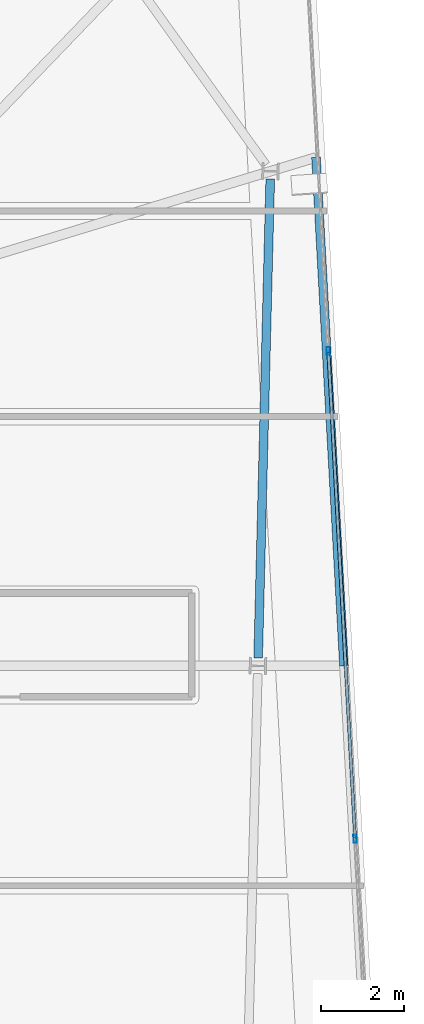
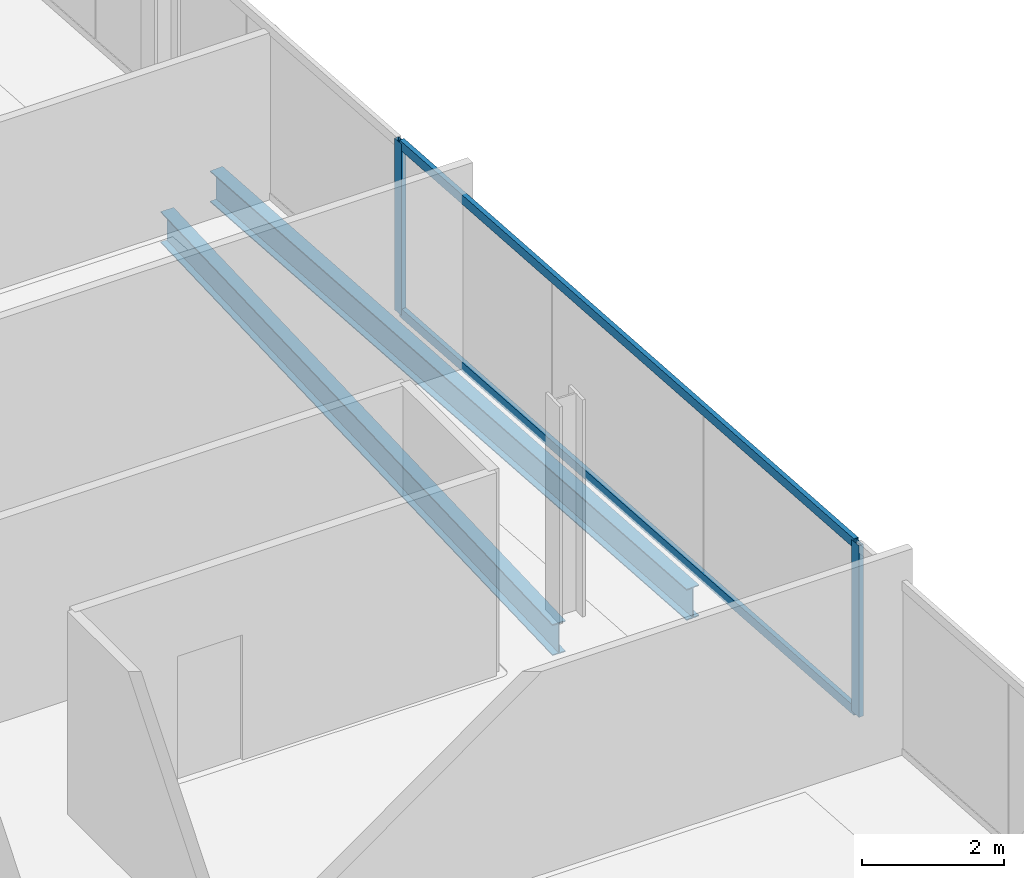
# One storey, part 10 of 23: 4 members, 2 beams, 1 element without a shape of its own.
"""IFC4 building model written with IfcOpenShell, lengths in metres."""

from ifc_helpers import new_model, si_unit, direction, frame, origin, origin_2d, place, context, subcontext, project, spatial, hollow_rectangle, i_section, extrude, material, material_profile, profile_set, type_object, element, aggregate, save


model = new_model("IFC4")

# Units and contexts
model_context = context("Model", 3, precision=1e-05, world=origin(), true_north=direction((0.0, 1.0)))
body_context = subcontext(model_context, "Body", "Model", "MODEL_VIEW")
ifc_project = project(units=[si_unit("LENGTHUNIT", "METRE"), si_unit("AREAUNIT", "SQUARE_METRE"), si_unit("VOLUMEUNIT", "CUBIC_METRE"), si_unit("PLANEANGLEUNIT", "RADIAN"), si_unit("MASSUNIT", "GRAM", prefix="KILO")], contexts=[model_context])

# Site, building, storey
site_placement = place(None, origin())
site = spatial("IfcSite", under=ifc_project, at=site_placement, CompositionType="ELEMENT")
building_placement = place(site_placement, origin())
building = spatial("IfcBuilding", under=site, at=building_placement, Name="Haldenkirk Collegiate Tower", CompositionType="ELEMENT")
storey_placement = place(building_placement, frame((0.0, 0.0, 340.199951171875)))
storey = spatial("IfcBuildingStorey", under=building, at=storey_placement, Name="L86", CompositionType="ELEMENT", Elevation=340.199951171875)

# Beams
ifc_material_1 = material(Name="Steel ASTM A992 Grade 50", Category="steel")
ifc_material_profile_1 = material_profile(ifc_material_1, i_section(OverallWidth=0.2099609375, OverallDepth=0.537109375, WebThickness=0.010986328125, FlangeThickness=0.017333984375, at=origin_2d()), Name="W21X68")
ifc_profile_set_1 = profile_set([ifc_material_profile_1], Name="Steel ASTM A992 Grade 50")
beam_type = type_object("IfcBeamType", Name="BM-SPANDREL-W21X68", PredefinedType="SPANDREL", material=ifc_profile_set_1)
beam_1_placement = place(storey_placement, frame((55.8984375, 25.684326171875, -0.528564453125), z_axis=(0.025302458902, 0.999679841536, 0.0), x_axis=(-0.999679841536, 0.025302458902, 0.0)))
element("IfcBeam", 1, at=beam_1_placement, inside=storey, type_object=beam_type, Name="L86 perimeter spandrel beam 03", PredefinedType="SPANDREL", context=body_context, shape_type="SweptSolid", body=[
    extrude(i_section(OverallWidth=0.2099609375, OverallDepth=0.537109375, WebThickness=0.010986328125, FlangeThickness=0.017333984375, at=origin_2d()), origin(), (0.0, 0.0, 1.0), 11.5400390625),
])
beam_2_placement = place(storey_placement, frame((57.9658203125, 25.496337890625, -0.528564453125), z_axis=(-0.054940816012, 0.998489612733, 0.0), x_axis=(-0.998489612733, -0.054940816012, 0.0)))
element("IfcBeam", 2, at=beam_2_placement, inside=storey, type_object=beam_type, Name="L86 outer facade edge beam 1B", PredefinedType="SPANDREL", context=body_context, shape_type="SweptSolid", body=[
    extrude(i_section(OverallWidth=0.2099609375, OverallDepth=0.537109375, WebThickness=0.010986328125, FlangeThickness=0.017333984375, at=origin_2d()), origin(), (0.0, 0.0, 1.0), 12.2646484375),
])

# Curtain wall, members
ifc_material_2 = material(Name="Anodised architectural bronze aluminium", Category="aluminium")
curtain_wall_type = type_object("IfcCurtainWallType", Name="CW-SYS2-CONCAVE", PredefinedType="USERDEFINED", material=ifc_material_2)
curtain_wall_placement = place(storey_placement, origin())
curtain_wall = element("IfcCurtainWall", 3, at=curtain_wall_placement, inside=storey, type_object=curtain_wall_type, Name="L86 South concave recessed bronze-anodised curtain wall", ObjectType="UNITISED CURTAIN WALL", PredefinedType="USERDEFINED")
ifc_material_profile_2 = material_profile(ifc_material_2, hollow_rectangle(XDim=0.074951171875, YDim=0.18994140625, WallThickness=0.0048828125, at=origin_2d()), Name="CW-MUL-02")
ifc_profile_set_2 = profile_set([ifc_material_profile_2], Name="Anodised architectural bronze aluminium")
member_type_1 = type_object("IfcMemberType", Name="CW-MUL-02", PredefinedType="MULLION", material=ifc_profile_set_2)
member_1_placement = place(storey_placement, frame((57.588623046875, 33.080322265625, 0.0), z_axis=(0.0, 0.0, 1.0), x_axis=(0.998489164704, 0.054948957849, 0.0)))
member_1 = element("IfcMember", 4, at=member_1_placement, type_object=member_type_1, Name="CW-02 mullion 2", PredefinedType="MULLION", context=body_context, shape_type="SweptSolid", body=[
    extrude(hollow_rectangle(XDim=0.074951171875, YDim=0.18994140625, WallThickness=0.0048828125, at=origin_2d()), origin(), (0.0, 0.0, 1.0), 2.947998046875),
])
member_2_placement = place(storey_placement, frame((58.235107421875, 21.331298828125, 0.0), z_axis=(0.0, 0.0, 1.0), x_axis=(0.998489164704, 0.054948957849, 0.0)))
member_2 = element("IfcMember", 5, at=member_2_placement, type_object=member_type_1, Name="CW-02 mullion 3", PredefinedType="MULLION", context=body_context, shape_type="SweptSolid", body=[
    extrude(hollow_rectangle(XDim=0.074951171875, YDim=0.18994140625, WallThickness=0.0048828125, at=origin_2d()), origin(), (0.0, 0.0, 1.0), 2.947998046875),
])
ifc_material_profile_3 = material_profile(ifc_material_2, hollow_rectangle(XDim=0.074951171875, YDim=0.159912109375, WallThickness=0.0048828125, at=origin_2d()), Name="CW-TRN-02")
ifc_profile_set_3 = profile_set([ifc_material_profile_3], Name="Anodised architectural bronze aluminium")
member_type_2 = type_object("IfcMemberType", Name="CW-TRN-02", PredefinedType="USERDEFINED", material=ifc_profile_set_3)
member_3_placement = place(storey_placement, frame((57.590576171875, 33.04296875, 0.03759765625), z_axis=(0.054959990867, -0.998488557473, 0.0), x_axis=(0.998488557473, 0.054959990867, 0.0)))
member_3 = element("IfcMember", 6, at=member_3_placement, type_object=member_type_2, Name="CW-02 transom 2.1", ObjectType="TRANSOM", PredefinedType="USERDEFINED", context=body_context, shape_type="SweptSolid", body=[
    extrude(hollow_rectangle(XDim=0.074951171875, YDim=0.159912109375, WallThickness=0.0048828125, at=origin_2d()), origin(), (0.0, 0.0, 1.0), 11.691650390625),
])
member_4_placement = place(storey_placement, frame((57.590576171875, 33.04296875, 2.91064453125), z_axis=(0.054959990867, -0.998488557473, 0.0), x_axis=(0.998488557473, 0.054959990867, 0.0)))
member_4 = element("IfcMember", 7, at=member_4_placement, type_object=member_type_2, Name="CW-02 transom 2.2", ObjectType="TRANSOM", PredefinedType="USERDEFINED", context=body_context, shape_type="SweptSolid", body=[
    extrude(hollow_rectangle(XDim=0.074951171875, YDim=0.159912109375, WallThickness=0.0048828125, at=origin_2d()), origin(), (0.0, 0.0, 1.0), 11.691650390625),
])
aggregate(curtain_wall, [member_1, member_2, member_3, member_4])

save(model, "model.ifc")
